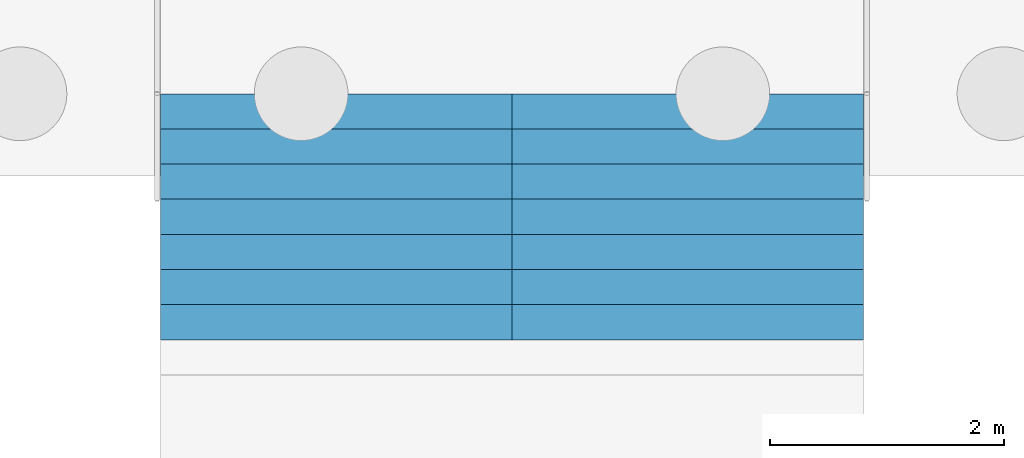
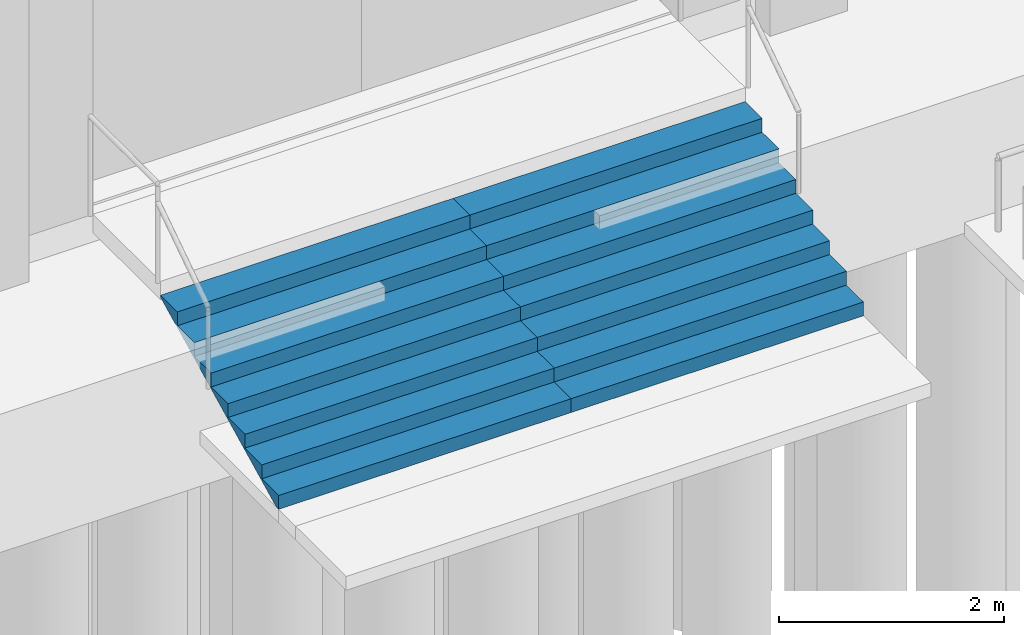
# One storey, part 67 of 129: 2 stair flights, 1 element without a shape of its own.
"""IFC4 building model written with IfcOpenShell, lengths in metres."""

from ifc_helpers import new_model, si_unit, direction, frame, origin, place, context, subcontext, project, spatial, faceted_brep, material, type_object, element, aggregate, save


model = new_model("IFC4")

# Units and contexts
model_context = context("Model", 3, precision=1e-05, world=origin(), true_north=direction((0.0, 1.0)))
body_context = subcontext(model_context, "Body", "Model", "MODEL_VIEW")
ifc_project = project(units=[si_unit("LENGTHUNIT", "METRE"), si_unit("AREAUNIT", "SQUARE_METRE"), si_unit("VOLUMEUNIT", "CUBIC_METRE"), si_unit("PLANEANGLEUNIT", "RADIAN"), si_unit("MASSUNIT", "GRAM", prefix="KILO")], contexts=[model_context])

# Site, building, storey
site_placement = place(None, origin())
site = spatial("IfcSite", under=ifc_project, at=site_placement, CompositionType="ELEMENT")
building_placement = place(site_placement, origin())
building = spatial("IfcBuilding", under=site, at=building_placement, Name="Kiln Court Media Centre", CompositionType="ELEMENT")
storey_placement = place(building_placement, origin())
storey = spatial("IfcBuildingStorey", under=building, at=storey_placement, Name="L00", CompositionType="ELEMENT", Elevation=0.0)

# Stair, stair flights
ifc_material_1 = material(Name="Concrete C30/37", Category="concrete")
stair_type = type_object("IfcStairType", Name="Concrete C30/37 porch steps EN-04 street porch", PredefinedType="STRAIGHT_RUN_STAIR", material=ifc_material_1)
stair_placement = place(storey_placement, origin())
stair = element("IfcStair", 1, at=stair_placement, inside=storey, type_object=stair_type, Name="Concrete C30/37 porch steps EN-04 street porch", PredefinedType="STRAIGHT_RUN_STAIR")
ifc_material_2 = material(Name="Concrete C30/37", Category="concrete")
stair_flight_type = type_object("IfcStairFlightType", Name="Concrete C30/37 porch steps EN-04 street porch flight", PredefinedType="STRAIGHT", material=ifc_material_2)
stair_flight_1_placement = place(storey_placement, frame((44.699951171875, -3.300048828125, -1.199951171875), z_axis=(0.0, 0.0, 1.0), x_axis=(0.0, 1.0, 0.0)))
stair_flight_1 = element("IfcStairFlight", 2, at=stair_flight_1_placement, type_object=stair_flight_type, Name="ST-E7 flight 1", NumberOfRisers=8, NumberOfTreads=7, PredefinedType="STRAIGHT", RiserHeight=0.15, TreadLength=0.3, context=body_context, shape_type="Brep", body=[
    faceted_brep([(0.044677734375, -1.5, 0.0), (2.10009765625, -1.5, 1.027587890625), (2.10009765625, -1.5, 1.050048828125), (1.800048828125, -1.5, 1.050048828125), (1.800048828125, -1.5, 0.89990234375), (1.5, -1.5, 0.89990234375), (1.5, -1.5, 0.75), (1.199951171875, -1.5, 0.75), (1.199951171875, -1.5, 0.60009765625), (0.89990234375, -1.5, 0.60009765625), (0.89990234375, -1.5, 0.449951171875), (0.60009765625, -1.5, 0.449951171875), (0.60009765625, -1.5, 0.300048828125), (0.300048828125, -1.5, 0.300048828125), (0.300048828125, -1.5, 0.14990234375), (0.0, -1.5, 0.14990234375), (0.0, -1.5, 0.0), (0.0, 1.5, 0.0), (0.0, 1.5, 0.14990234375), (0.300048828125, 1.5, 0.14990234375), (0.300048828125, 1.5, 0.300048828125), (0.60009765625, 1.5, 0.300048828125), (0.60009765625, 1.5, 0.449951171875), (0.89990234375, 1.5, 0.449951171875), (0.89990234375, 1.5, 0.60009765625), (1.199951171875, 1.5, 0.60009765625), (1.199951171875, 1.5, 0.75), (1.5, 1.5, 0.75), (1.5, 1.5, 0.89990234375), (1.800048828125, 1.5, 0.89990234375), (1.800048828125, 1.5, 1.050048828125), (2.10009765625, 1.5, 1.050048828125), (2.10009765625, 1.5, 1.027587890625), (0.044677734375, 1.5, 0.0), (2.10009765625, 0.10009765625, 1.027587890625), (0.044677734375, 0.10009765625, 0.0), (2.10009765625, 0.080078125, 1.027587890625), (0.044677734375, 0.080078125, 0.0), (2.10009765625, 0.06005859375, 1.027587890625), (0.044677734375, 0.06005859375, 0.0), (2.10009765625, 0.0400390625, 1.027587890625), (0.044677734375, 0.0400390625, 0.0), (2.10009765625, 0.02001953125, 1.027587890625), (0.044677734375, 0.02001953125, 0.0), (2.10009765625, 0.0, 1.027587890625), (0.044677734375, 0.0, 0.0), (2.10009765625, -0.02001953125, 1.027587890625), (0.044677734375, -0.02001953125, 0.0), (2.10009765625, -0.0400390625, 1.027587890625), (0.044677734375, -0.0400390625, 0.0), (2.10009765625, -0.06005859375, 1.027587890625), (0.044677734375, -0.06005859375, 0.0), (2.10009765625, -0.080078125, 1.027587890625), (0.044677734375, -0.080078125, 0.0), (2.10009765625, -0.10009765625, 1.027587890625), (0.044677734375, -0.10009765625, 0.0), (2.10009765625, 0.10009765625, 1.050048828125), (2.10009765625, 0.080078125, 1.050048828125), (2.10009765625, 0.06005859375, 1.050048828125), (2.10009765625, 0.0400390625, 1.050048828125), (2.10009765625, 0.02001953125, 1.050048828125), (2.10009765625, 0.0, 1.050048828125), (2.10009765625, -0.02001953125, 1.050048828125), (2.10009765625, -0.0400390625, 1.050048828125), (2.10009765625, -0.06005859375, 1.050048828125), (2.10009765625, -0.080078125, 1.050048828125), (2.10009765625, -0.10009765625, 1.050048828125), (1.800048828125, 0.10009765625, 1.050048828125), (1.800048828125, 0.080078125, 1.050048828125), (1.800048828125, 0.06005859375, 1.050048828125), (1.800048828125, 0.0400390625, 1.050048828125), (1.800048828125, 0.02001953125, 1.050048828125), (1.800048828125, 0.0, 1.050048828125), (1.800048828125, -0.02001953125, 1.050048828125), (1.800048828125, -0.0400390625, 1.050048828125), (1.800048828125, -0.06005859375, 1.050048828125), (1.800048828125, -0.080078125, 1.050048828125), (1.800048828125, -0.10009765625, 1.050048828125), (1.800048828125, 0.10009765625, 0.89990234375), (1.800048828125, 0.080078125, 0.89990234375), (1.800048828125, 0.06005859375, 0.89990234375), (1.800048828125, 0.0400390625, 0.89990234375), (1.800048828125, 0.02001953125, 0.89990234375), (1.800048828125, 0.0, 0.89990234375), (1.800048828125, -0.02001953125, 0.89990234375), (1.800048828125, -0.0400390625, 0.89990234375), (1.800048828125, -0.06005859375, 0.89990234375), (1.800048828125, -0.080078125, 0.89990234375), (1.800048828125, -0.10009765625, 0.89990234375), (1.5, 0.10009765625, 0.89990234375), (1.5, 0.080078125, 0.89990234375), (1.5, 0.06005859375, 0.89990234375), (1.5, 0.0400390625, 0.89990234375), (1.5, 0.02001953125, 0.89990234375), (1.5, 0.0, 0.89990234375), (1.5, -0.02001953125, 0.89990234375), (1.5, -0.0400390625, 0.89990234375), (1.5, -0.06005859375, 0.89990234375), (1.5, -0.080078125, 0.89990234375), (1.5, -0.10009765625, 0.89990234375), (1.5, 0.10009765625, 0.75), (1.5, 0.080078125, 0.75), (1.5, 0.06005859375, 0.75), (1.5, 0.0400390625, 0.75), (1.5, 0.02001953125, 0.75), (1.5, 0.0, 0.75), (1.5, -0.02001953125, 0.75), (1.5, -0.0400390625, 0.75), (1.5, -0.06005859375, 0.75), (1.5, -0.080078125, 0.75), (1.5, -0.10009765625, 0.75), (1.199951171875, 0.10009765625, 0.75), (1.199951171875, 0.080078125, 0.75), (1.199951171875, 0.06005859375, 0.75), (1.199951171875, 0.0400390625, 0.75), (1.199951171875, 0.02001953125, 0.75), (1.199951171875, 0.0, 0.75), (1.199951171875, -0.02001953125, 0.75), (1.199951171875, -0.0400390625, 0.75), (1.199951171875, -0.06005859375, 0.75), (1.199951171875, -0.080078125, 0.75), (1.199951171875, -0.10009765625, 0.75), (1.199951171875, 0.10009765625, 0.60009765625), (1.199951171875, 0.080078125, 0.60009765625), (1.199951171875, 0.06005859375, 0.60009765625), (1.199951171875, 0.0400390625, 0.60009765625), (1.199951171875, 0.02001953125, 0.60009765625), (1.199951171875, 0.0, 0.60009765625), (1.199951171875, -0.02001953125, 0.60009765625), (1.199951171875, -0.0400390625, 0.60009765625), (1.199951171875, -0.06005859375, 0.60009765625), (1.199951171875, -0.080078125, 0.60009765625), (1.199951171875, -0.10009765625, 0.60009765625), (0.89990234375, 0.10009765625, 0.60009765625), (0.89990234375, 0.080078125, 0.60009765625), (0.89990234375, 0.06005859375, 0.60009765625), (0.89990234375, 0.0400390625, 0.60009765625), (0.89990234375, 0.02001953125, 0.60009765625), (0.89990234375, 0.0, 0.60009765625), (0.89990234375, -0.02001953125, 0.60009765625), (0.89990234375, -0.0400390625, 0.60009765625), (0.89990234375, -0.06005859375, 0.60009765625), (0.89990234375, -0.080078125, 0.60009765625), (0.89990234375, -0.10009765625, 0.60009765625), (0.89990234375, 0.10009765625, 0.449951171875), (0.89990234375, 0.080078125, 0.449951171875), (0.89990234375, 0.06005859375, 0.449951171875), (0.89990234375, 0.0400390625, 0.449951171875), (0.89990234375, 0.02001953125, 0.449951171875), (0.89990234375, 0.0, 0.449951171875), (0.89990234375, -0.02001953125, 0.449951171875), (0.89990234375, -0.0400390625, 0.449951171875), (0.89990234375, -0.06005859375, 0.449951171875), (0.89990234375, -0.080078125, 0.449951171875), (0.89990234375, -0.10009765625, 0.449951171875), (0.60009765625, 0.10009765625, 0.449951171875), (0.60009765625, 0.080078125, 0.449951171875), (0.60009765625, 0.06005859375, 0.449951171875), (0.60009765625, 0.0400390625, 0.449951171875), (0.60009765625, 0.02001953125, 0.449951171875), (0.60009765625, 0.0, 0.449951171875), (0.60009765625, -0.02001953125, 0.449951171875), (0.60009765625, -0.0400390625, 0.449951171875), (0.60009765625, -0.06005859375, 0.449951171875), (0.60009765625, -0.080078125, 0.449951171875), (0.60009765625, -0.10009765625, 0.449951171875), (0.60009765625, 0.10009765625, 0.300048828125), (0.60009765625, 0.080078125, 0.300048828125), (0.60009765625, 0.06005859375, 0.300048828125), (0.60009765625, 0.0400390625, 0.300048828125), (0.60009765625, 0.02001953125, 0.300048828125), (0.60009765625, 0.0, 0.300048828125), (0.60009765625, -0.02001953125, 0.300048828125), (0.60009765625, -0.0400390625, 0.300048828125), (0.60009765625, -0.06005859375, 0.300048828125), (0.60009765625, -0.080078125, 0.300048828125), (0.60009765625, -0.10009765625, 0.300048828125), (0.300048828125, 0.10009765625, 0.300048828125), (0.300048828125, 0.080078125, 0.300048828125), (0.300048828125, 0.06005859375, 0.300048828125), (0.300048828125, 0.0400390625, 0.300048828125), (0.300048828125, 0.02001953125, 0.300048828125), (0.300048828125, 0.0, 0.300048828125), (0.300048828125, -0.02001953125, 0.300048828125), (0.300048828125, -0.0400390625, 0.300048828125), (0.300048828125, -0.06005859375, 0.300048828125), (0.300048828125, -0.080078125, 0.300048828125), (0.300048828125, -0.10009765625, 0.300048828125), (0.300048828125, 0.10009765625, 0.14990234375), (0.300048828125, 0.080078125, 0.14990234375), (0.300048828125, 0.06005859375, 0.14990234375), (0.300048828125, 0.0400390625, 0.14990234375), (0.300048828125, 0.02001953125, 0.14990234375), (0.300048828125, 0.0, 0.14990234375), (0.300048828125, -0.02001953125, 0.14990234375), (0.300048828125, -0.0400390625, 0.14990234375), (0.300048828125, -0.06005859375, 0.14990234375), (0.300048828125, -0.080078125, 0.14990234375), (0.300048828125, -0.10009765625, 0.14990234375), (0.0, 0.10009765625, 0.14990234375), (0.0, 0.080078125, 0.14990234375), (0.0, 0.06005859375, 0.14990234375), (0.0, 0.0400390625, 0.14990234375), (0.0, 0.02001953125, 0.14990234375), (0.0, 0.0, 0.14990234375), (0.0, -0.02001953125, 0.14990234375), (0.0, -0.0400390625, 0.14990234375), (0.0, -0.06005859375, 0.14990234375), (0.0, -0.080078125, 0.14990234375), (0.0, -0.10009765625, 0.14990234375), (0.0, 0.10009765625, 0.0), (0.0, 0.080078125, 0.0), (0.0, 0.06005859375, 0.0), (0.0, 0.0400390625, 0.0), (0.0, 0.02001953125, 0.0), (0.0, 0.0, 0.0), (0.0, -0.02001953125, 0.0), (0.0, -0.0400390625, 0.0), (0.0, -0.06005859375, 0.0), (0.0, -0.080078125, 0.0), (0.0, -0.10009765625, 0.0)], [[[0, 1, 2, 3, 4, 5, 6, 7, 8, 9, 10, 11, 12, 13, 14, 15, 16]], [[17, 18, 19, 20, 21, 22, 23, 24, 25, 26, 27, 28, 29, 30, 31, 32, 33]], [[33, 32, 34, 35]], [[35, 34, 36, 37]], [[37, 36, 38, 39]], [[39, 38, 40, 41]], [[41, 40, 42, 43]], [[43, 42, 44, 45]], [[45, 44, 46, 47]], [[47, 46, 48, 49]], [[49, 48, 50, 51]], [[51, 50, 52, 53]], [[53, 52, 54, 55]], [[55, 54, 1, 0]], [[32, 31, 56, 34]], [[34, 56, 57, 36]], [[36, 57, 58, 38]], [[38, 58, 59, 40]], [[40, 59, 60, 42]], [[42, 60, 61, 44]], [[44, 61, 62, 46]], [[46, 62, 63, 48]], [[48, 63, 64, 50]], [[50, 64, 65, 52]], [[52, 65, 66, 54]], [[54, 66, 2, 1]], [[31, 30, 67, 56]], [[56, 67, 68, 57]], [[57, 68, 69, 58]], [[58, 69, 70, 59]], [[59, 70, 71, 60]], [[60, 71, 72, 61]], [[61, 72, 73, 62]], [[62, 73, 74, 63]], [[63, 74, 75, 64]], [[64, 75, 76, 65]], [[65, 76, 77, 66]], [[66, 77, 3, 2]], [[30, 29, 78, 67]], [[67, 78, 79, 68]], [[68, 79, 80, 69]], [[69, 80, 81, 70]], [[70, 81, 82, 71]], [[71, 82, 83, 72]], [[72, 83, 84, 73]], [[73, 84, 85, 74]], [[74, 85, 86, 75]], [[75, 86, 87, 76]], [[76, 87, 88, 77]], [[77, 88, 4, 3]], [[29, 28, 89, 78]], [[78, 89, 90, 79]], [[79, 90, 91, 80]], [[80, 91, 92, 81]], [[81, 92, 93, 82]], [[82, 93, 94, 83]], [[83, 94, 95, 84]], [[84, 95, 96, 85]], [[85, 96, 97, 86]], [[86, 97, 98, 87]], [[87, 98, 99, 88]], [[88, 99, 5, 4]], [[28, 27, 100, 89]], [[89, 100, 101, 90]], [[90, 101, 102, 91]], [[91, 102, 103, 92]], [[92, 103, 104, 93]], [[93, 104, 105, 94]], [[94, 105, 106, 95]], [[95, 106, 107, 96]], [[96, 107, 108, 97]], [[97, 108, 109, 98]], [[98, 109, 110, 99]], [[99, 110, 6, 5]], [[27, 26, 111, 100]], [[100, 111, 112, 101]], [[101, 112, 113, 102]], [[102, 113, 114, 103]], [[103, 114, 115, 104]], [[104, 115, 116, 105]], [[105, 116, 117, 106]], [[106, 117, 118, 107]], [[107, 118, 119, 108]], [[108, 119, 120, 109]], [[109, 120, 121, 110]], [[110, 121, 7, 6]], [[26, 25, 122, 111]], [[111, 122, 123, 112]], [[112, 123, 124, 113]], [[113, 124, 125, 114]], [[114, 125, 126, 115]], [[115, 126, 127, 116]], [[116, 127, 128, 117]], [[117, 128, 129, 118]], [[118, 129, 130, 119]], [[119, 130, 131, 120]], [[120, 131, 132, 121]], [[121, 132, 8, 7]], [[25, 24, 133, 122]], [[122, 133, 134, 123]], [[123, 134, 135, 124]], [[124, 135, 136, 125]], [[125, 136, 137, 126]], [[126, 137, 138, 127]], [[127, 138, 139, 128]], [[128, 139, 140, 129]], [[129, 140, 141, 130]], [[130, 141, 142, 131]], [[131, 142, 143, 132]], [[132, 143, 9, 8]], [[24, 23, 144, 133]], [[133, 144, 145, 134]], [[134, 145, 146, 135]], [[135, 146, 147, 136]], [[136, 147, 148, 137]], [[137, 148, 149, 138]], [[138, 149, 150, 139]], [[139, 150, 151, 140]], [[140, 151, 152, 141]], [[141, 152, 153, 142]], [[142, 153, 154, 143]], [[143, 154, 10, 9]], [[23, 22, 155, 144]], [[144, 155, 156, 145]], [[145, 156, 157, 146]], [[146, 157, 158, 147]], [[147, 158, 159, 148]], [[148, 159, 160, 149]], [[149, 160, 161, 150]], [[150, 161, 162, 151]], [[151, 162, 163, 152]], [[152, 163, 164, 153]], [[153, 164, 165, 154]], [[154, 165, 11, 10]], [[22, 21, 166, 155]], [[155, 166, 167, 156]], [[156, 167, 168, 157]], [[157, 168, 169, 158]], [[158, 169, 170, 159]], [[159, 170, 171, 160]], [[160, 171, 172, 161]], [[161, 172, 173, 162]], [[162, 173, 174, 163]], [[163, 174, 175, 164]], [[164, 175, 176, 165]], [[165, 176, 12, 11]], [[21, 20, 177, 166]], [[166, 177, 178, 167]], [[167, 178, 179, 168]], [[168, 179, 180, 169]], [[169, 180, 181, 170]], [[170, 181, 182, 171]], [[171, 182, 183, 172]], [[172, 183, 184, 173]], [[173, 184, 185, 174]], [[174, 185, 186, 175]], [[175, 186, 187, 176]], [[176, 187, 13, 12]], [[20, 19, 188, 177]], [[177, 188, 189, 178]], [[178, 189, 190, 179]], [[179, 190, 191, 180]], [[180, 191, 192, 181]], [[181, 192, 193, 182]], [[182, 193, 194, 183]], [[183, 194, 195, 184]], [[184, 195, 196, 185]], [[185, 196, 197, 186]], [[186, 197, 198, 187]], [[187, 198, 14, 13]], [[19, 18, 199, 188]], [[188, 199, 200, 189]], [[189, 200, 201, 190]], [[190, 201, 202, 191]], [[191, 202, 203, 192]], [[192, 203, 204, 193]], [[193, 204, 205, 194]], [[194, 205, 206, 195]], [[195, 206, 207, 196]], [[196, 207, 208, 197]], [[197, 208, 209, 198]], [[198, 209, 15, 14]], [[18, 17, 210, 199]], [[199, 210, 211, 200]], [[200, 211, 212, 201]], [[201, 212, 213, 202]], [[202, 213, 214, 203]], [[203, 214, 215, 204]], [[204, 215, 216, 205]], [[205, 216, 217, 206]], [[206, 217, 218, 207]], [[207, 218, 219, 208]], [[208, 219, 220, 209]], [[209, 220, 16, 15]], [[17, 33, 35, 210]], [[210, 35, 37, 211]], [[211, 37, 39, 212]], [[212, 39, 41, 213]], [[213, 41, 43, 214]], [[214, 43, 45, 215]], [[215, 45, 47, 216]], [[216, 47, 49, 217]], [[217, 49, 51, 218]], [[218, 51, 53, 219]], [[219, 53, 55, 220]], [[220, 55, 0, 16]]]),
])
stair_flight_2_placement = place(storey_placement, frame((47.699951171875, -3.300048828125, -1.199951171875), z_axis=(0.0, 0.0, 1.0), x_axis=(0.0, 1.0, 0.0)))
stair_flight_2 = element("IfcStairFlight", 3, at=stair_flight_2_placement, type_object=stair_flight_type, Name="ST-E7 flight 2", NumberOfRisers=8, NumberOfTreads=7, PredefinedType="STRAIGHT", RiserHeight=0.15, TreadLength=0.3, context=body_context, shape_type="Brep", body=[
    faceted_brep([(0.044677734375, -1.5, 0.0), (2.10009765625, -1.5, 1.027587890625), (2.10009765625, -1.5, 1.050048828125), (1.800048828125, -1.5, 1.050048828125), (1.800048828125, -1.5, 0.89990234375), (1.5, -1.5, 0.89990234375), (1.5, -1.5, 0.75), (1.199951171875, -1.5, 0.75), (1.199951171875, -1.5, 0.60009765625), (0.89990234375, -1.5, 0.60009765625), (0.89990234375, -1.5, 0.449951171875), (0.60009765625, -1.5, 0.449951171875), (0.60009765625, -1.5, 0.300048828125), (0.300048828125, -1.5, 0.300048828125), (0.300048828125, -1.5, 0.14990234375), (0.0, -1.5, 0.14990234375), (0.0, -1.5, 0.0), (0.0, 1.5, 0.0), (0.0, 1.5, 0.14990234375), (0.300048828125, 1.5, 0.14990234375), (0.300048828125, 1.5, 0.300048828125), (0.60009765625, 1.5, 0.300048828125), (0.60009765625, 1.5, 0.449951171875), (0.89990234375, 1.5, 0.449951171875), (0.89990234375, 1.5, 0.60009765625), (1.199951171875, 1.5, 0.60009765625), (1.199951171875, 1.5, 0.75), (1.5, 1.5, 0.75), (1.5, 1.5, 0.89990234375), (1.800048828125, 1.5, 0.89990234375), (1.800048828125, 1.5, 1.050048828125), (2.10009765625, 1.5, 1.050048828125), (2.10009765625, 1.5, 1.027587890625), (0.044677734375, 1.5, 0.0), (2.10009765625, 0.10009765625, 1.027587890625), (0.044677734375, 0.10009765625, 0.0), (2.10009765625, 0.080078125, 1.027587890625), (0.044677734375, 0.080078125, 0.0), (2.10009765625, 0.06005859375, 1.027587890625), (0.044677734375, 0.06005859375, 0.0), (2.10009765625, 0.0400390625, 1.027587890625), (0.044677734375, 0.0400390625, 0.0), (2.10009765625, 0.02001953125, 1.027587890625), (0.044677734375, 0.02001953125, 0.0), (2.10009765625, 0.0, 1.027587890625), (0.044677734375, 0.0, 0.0), (2.10009765625, -0.02001953125, 1.027587890625), (0.044677734375, -0.02001953125, 0.0), (2.10009765625, -0.0400390625, 1.027587890625), (0.044677734375, -0.0400390625, 0.0), (2.10009765625, -0.06005859375, 1.027587890625), (0.044677734375, -0.06005859375, 0.0), (2.10009765625, -0.080078125, 1.027587890625), (0.044677734375, -0.080078125, 0.0), (2.10009765625, -0.10009765625, 1.027587890625), (0.044677734375, -0.10009765625, 0.0), (2.10009765625, 0.10009765625, 1.050048828125), (2.10009765625, 0.080078125, 1.050048828125), (2.10009765625, 0.06005859375, 1.050048828125), (2.10009765625, 0.0400390625, 1.050048828125), (2.10009765625, 0.02001953125, 1.050048828125), (2.10009765625, 0.0, 1.050048828125), (2.10009765625, -0.02001953125, 1.050048828125), (2.10009765625, -0.0400390625, 1.050048828125), (2.10009765625, -0.06005859375, 1.050048828125), (2.10009765625, -0.080078125, 1.050048828125), (2.10009765625, -0.10009765625, 1.050048828125), (1.800048828125, 0.10009765625, 1.050048828125), (1.800048828125, 0.080078125, 1.050048828125), (1.800048828125, 0.06005859375, 1.050048828125), (1.800048828125, 0.0400390625, 1.050048828125), (1.800048828125, 0.02001953125, 1.050048828125), (1.800048828125, 0.0, 1.050048828125), (1.800048828125, -0.02001953125, 1.050048828125), (1.800048828125, -0.0400390625, 1.050048828125), (1.800048828125, -0.06005859375, 1.050048828125), (1.800048828125, -0.080078125, 1.050048828125), (1.800048828125, -0.10009765625, 1.050048828125), (1.800048828125, 0.10009765625, 0.89990234375), (1.800048828125, 0.080078125, 0.89990234375), (1.800048828125, 0.06005859375, 0.89990234375), (1.800048828125, 0.0400390625, 0.89990234375), (1.800048828125, 0.02001953125, 0.89990234375), (1.800048828125, 0.0, 0.89990234375), (1.800048828125, -0.02001953125, 0.89990234375), (1.800048828125, -0.0400390625, 0.89990234375), (1.800048828125, -0.06005859375, 0.89990234375), (1.800048828125, -0.080078125, 0.89990234375), (1.800048828125, -0.10009765625, 0.89990234375), (1.5, 0.10009765625, 0.89990234375), (1.5, 0.080078125, 0.89990234375), (1.5, 0.06005859375, 0.89990234375), (1.5, 0.0400390625, 0.89990234375), (1.5, 0.02001953125, 0.89990234375), (1.5, 0.0, 0.89990234375), (1.5, -0.02001953125, 0.89990234375), (1.5, -0.0400390625, 0.89990234375), (1.5, -0.06005859375, 0.89990234375), (1.5, -0.080078125, 0.89990234375), (1.5, -0.10009765625, 0.89990234375), (1.5, 0.10009765625, 0.75), (1.5, 0.080078125, 0.75), (1.5, 0.06005859375, 0.75), (1.5, 0.0400390625, 0.75), (1.5, 0.02001953125, 0.75), (1.5, 0.0, 0.75), (1.5, -0.02001953125, 0.75), (1.5, -0.0400390625, 0.75), (1.5, -0.06005859375, 0.75), (1.5, -0.080078125, 0.75), (1.5, -0.10009765625, 0.75), (1.199951171875, 0.10009765625, 0.75), (1.199951171875, 0.080078125, 0.75), (1.199951171875, 0.06005859375, 0.75), (1.199951171875, 0.0400390625, 0.75), (1.199951171875, 0.02001953125, 0.75), (1.199951171875, 0.0, 0.75), (1.199951171875, -0.02001953125, 0.75), (1.199951171875, -0.0400390625, 0.75), (1.199951171875, -0.06005859375, 0.75), (1.199951171875, -0.080078125, 0.75), (1.199951171875, -0.10009765625, 0.75), (1.199951171875, 0.10009765625, 0.60009765625), (1.199951171875, 0.080078125, 0.60009765625), (1.199951171875, 0.06005859375, 0.60009765625), (1.199951171875, 0.0400390625, 0.60009765625), (1.199951171875, 0.02001953125, 0.60009765625), (1.199951171875, 0.0, 0.60009765625), (1.199951171875, -0.02001953125, 0.60009765625), (1.199951171875, -0.0400390625, 0.60009765625), (1.199951171875, -0.06005859375, 0.60009765625), (1.199951171875, -0.080078125, 0.60009765625), (1.199951171875, -0.10009765625, 0.60009765625), (0.89990234375, 0.10009765625, 0.60009765625), (0.89990234375, 0.080078125, 0.60009765625), (0.89990234375, 0.06005859375, 0.60009765625), (0.89990234375, 0.0400390625, 0.60009765625), (0.89990234375, 0.02001953125, 0.60009765625), (0.89990234375, 0.0, 0.60009765625), (0.89990234375, -0.02001953125, 0.60009765625), (0.89990234375, -0.0400390625, 0.60009765625), (0.89990234375, -0.06005859375, 0.60009765625), (0.89990234375, -0.080078125, 0.60009765625), (0.89990234375, -0.10009765625, 0.60009765625), (0.89990234375, 0.10009765625, 0.449951171875), (0.89990234375, 0.080078125, 0.449951171875), (0.89990234375, 0.06005859375, 0.449951171875), (0.89990234375, 0.0400390625, 0.449951171875), (0.89990234375, 0.02001953125, 0.449951171875), (0.89990234375, 0.0, 0.449951171875), (0.89990234375, -0.02001953125, 0.449951171875), (0.89990234375, -0.0400390625, 0.449951171875), (0.89990234375, -0.06005859375, 0.449951171875), (0.89990234375, -0.080078125, 0.449951171875), (0.89990234375, -0.10009765625, 0.449951171875), (0.60009765625, 0.10009765625, 0.449951171875), (0.60009765625, 0.080078125, 0.449951171875), (0.60009765625, 0.06005859375, 0.449951171875), (0.60009765625, 0.0400390625, 0.449951171875), (0.60009765625, 0.02001953125, 0.449951171875), (0.60009765625, 0.0, 0.449951171875), (0.60009765625, -0.02001953125, 0.449951171875), (0.60009765625, -0.0400390625, 0.449951171875), (0.60009765625, -0.06005859375, 0.449951171875), (0.60009765625, -0.080078125, 0.449951171875), (0.60009765625, -0.10009765625, 0.449951171875), (0.60009765625, 0.10009765625, 0.300048828125), (0.60009765625, 0.080078125, 0.300048828125), (0.60009765625, 0.06005859375, 0.300048828125), (0.60009765625, 0.0400390625, 0.300048828125), (0.60009765625, 0.02001953125, 0.300048828125), (0.60009765625, 0.0, 0.300048828125), (0.60009765625, -0.02001953125, 0.300048828125), (0.60009765625, -0.0400390625, 0.300048828125), (0.60009765625, -0.06005859375, 0.300048828125), (0.60009765625, -0.080078125, 0.300048828125), (0.60009765625, -0.10009765625, 0.300048828125), (0.300048828125, 0.10009765625, 0.300048828125), (0.300048828125, 0.080078125, 0.300048828125), (0.300048828125, 0.06005859375, 0.300048828125), (0.300048828125, 0.0400390625, 0.300048828125), (0.300048828125, 0.02001953125, 0.300048828125), (0.300048828125, 0.0, 0.300048828125), (0.300048828125, -0.02001953125, 0.300048828125), (0.300048828125, -0.0400390625, 0.300048828125), (0.300048828125, -0.06005859375, 0.300048828125), (0.300048828125, -0.080078125, 0.300048828125), (0.300048828125, -0.10009765625, 0.300048828125), (0.300048828125, 0.10009765625, 0.14990234375), (0.300048828125, 0.080078125, 0.14990234375), (0.300048828125, 0.06005859375, 0.14990234375), (0.300048828125, 0.0400390625, 0.14990234375), (0.300048828125, 0.02001953125, 0.14990234375), (0.300048828125, 0.0, 0.14990234375), (0.300048828125, -0.02001953125, 0.14990234375), (0.300048828125, -0.0400390625, 0.14990234375), (0.300048828125, -0.06005859375, 0.14990234375), (0.300048828125, -0.080078125, 0.14990234375), (0.300048828125, -0.10009765625, 0.14990234375), (0.0, 0.10009765625, 0.14990234375), (0.0, 0.080078125, 0.14990234375), (0.0, 0.06005859375, 0.14990234375), (0.0, 0.0400390625, 0.14990234375), (0.0, 0.02001953125, 0.14990234375), (0.0, 0.0, 0.14990234375), (0.0, -0.02001953125, 0.14990234375), (0.0, -0.0400390625, 0.14990234375), (0.0, -0.06005859375, 0.14990234375), (0.0, -0.080078125, 0.14990234375), (0.0, -0.10009765625, 0.14990234375), (0.0, 0.10009765625, 0.0), (0.0, 0.080078125, 0.0), (0.0, 0.06005859375, 0.0), (0.0, 0.0400390625, 0.0), (0.0, 0.02001953125, 0.0), (0.0, 0.0, 0.0), (0.0, -0.02001953125, 0.0), (0.0, -0.0400390625, 0.0), (0.0, -0.06005859375, 0.0), (0.0, -0.080078125, 0.0), (0.0, -0.10009765625, 0.0)], [[[0, 1, 2, 3, 4, 5, 6, 7, 8, 9, 10, 11, 12, 13, 14, 15, 16]], [[17, 18, 19, 20, 21, 22, 23, 24, 25, 26, 27, 28, 29, 30, 31, 32, 33]], [[33, 32, 34, 35]], [[35, 34, 36, 37]], [[37, 36, 38, 39]], [[39, 38, 40, 41]], [[41, 40, 42, 43]], [[43, 42, 44, 45]], [[45, 44, 46, 47]], [[47, 46, 48, 49]], [[49, 48, 50, 51]], [[51, 50, 52, 53]], [[53, 52, 54, 55]], [[55, 54, 1, 0]], [[32, 31, 56, 34]], [[34, 56, 57, 36]], [[36, 57, 58, 38]], [[38, 58, 59, 40]], [[40, 59, 60, 42]], [[42, 60, 61, 44]], [[44, 61, 62, 46]], [[46, 62, 63, 48]], [[48, 63, 64, 50]], [[50, 64, 65, 52]], [[52, 65, 66, 54]], [[54, 66, 2, 1]], [[31, 30, 67, 56]], [[56, 67, 68, 57]], [[57, 68, 69, 58]], [[58, 69, 70, 59]], [[59, 70, 71, 60]], [[60, 71, 72, 61]], [[61, 72, 73, 62]], [[62, 73, 74, 63]], [[63, 74, 75, 64]], [[64, 75, 76, 65]], [[65, 76, 77, 66]], [[66, 77, 3, 2]], [[30, 29, 78, 67]], [[67, 78, 79, 68]], [[68, 79, 80, 69]], [[69, 80, 81, 70]], [[70, 81, 82, 71]], [[71, 82, 83, 72]], [[72, 83, 84, 73]], [[73, 84, 85, 74]], [[74, 85, 86, 75]], [[75, 86, 87, 76]], [[76, 87, 88, 77]], [[77, 88, 4, 3]], [[29, 28, 89, 78]], [[78, 89, 90, 79]], [[79, 90, 91, 80]], [[80, 91, 92, 81]], [[81, 92, 93, 82]], [[82, 93, 94, 83]], [[83, 94, 95, 84]], [[84, 95, 96, 85]], [[85, 96, 97, 86]], [[86, 97, 98, 87]], [[87, 98, 99, 88]], [[88, 99, 5, 4]], [[28, 27, 100, 89]], [[89, 100, 101, 90]], [[90, 101, 102, 91]], [[91, 102, 103, 92]], [[92, 103, 104, 93]], [[93, 104, 105, 94]], [[94, 105, 106, 95]], [[95, 106, 107, 96]], [[96, 107, 108, 97]], [[97, 108, 109, 98]], [[98, 109, 110, 99]], [[99, 110, 6, 5]], [[27, 26, 111, 100]], [[100, 111, 112, 101]], [[101, 112, 113, 102]], [[102, 113, 114, 103]], [[103, 114, 115, 104]], [[104, 115, 116, 105]], [[105, 116, 117, 106]], [[106, 117, 118, 107]], [[107, 118, 119, 108]], [[108, 119, 120, 109]], [[109, 120, 121, 110]], [[110, 121, 7, 6]], [[26, 25, 122, 111]], [[111, 122, 123, 112]], [[112, 123, 124, 113]], [[113, 124, 125, 114]], [[114, 125, 126, 115]], [[115, 126, 127, 116]], [[116, 127, 128, 117]], [[117, 128, 129, 118]], [[118, 129, 130, 119]], [[119, 130, 131, 120]], [[120, 131, 132, 121]], [[121, 132, 8, 7]], [[25, 24, 133, 122]], [[122, 133, 134, 123]], [[123, 134, 135, 124]], [[124, 135, 136, 125]], [[125, 136, 137, 126]], [[126, 137, 138, 127]], [[127, 138, 139, 128]], [[128, 139, 140, 129]], [[129, 140, 141, 130]], [[130, 141, 142, 131]], [[131, 142, 143, 132]], [[132, 143, 9, 8]], [[24, 23, 144, 133]], [[133, 144, 145, 134]], [[134, 145, 146, 135]], [[135, 146, 147, 136]], [[136, 147, 148, 137]], [[137, 148, 149, 138]], [[138, 149, 150, 139]], [[139, 150, 151, 140]], [[140, 151, 152, 141]], [[141, 152, 153, 142]], [[142, 153, 154, 143]], [[143, 154, 10, 9]], [[23, 22, 155, 144]], [[144, 155, 156, 145]], [[145, 156, 157, 146]], [[146, 157, 158, 147]], [[147, 158, 159, 148]], [[148, 159, 160, 149]], [[149, 160, 161, 150]], [[150, 161, 162, 151]], [[151, 162, 163, 152]], [[152, 163, 164, 153]], [[153, 164, 165, 154]], [[154, 165, 11, 10]], [[22, 21, 166, 155]], [[155, 166, 167, 156]], [[156, 167, 168, 157]], [[157, 168, 169, 158]], [[158, 169, 170, 159]], [[159, 170, 171, 160]], [[160, 171, 172, 161]], [[161, 172, 173, 162]], [[162, 173, 174, 163]], [[163, 174, 175, 164]], [[164, 175, 176, 165]], [[165, 176, 12, 11]], [[21, 20, 177, 166]], [[166, 177, 178, 167]], [[167, 178, 179, 168]], [[168, 179, 180, 169]], [[169, 180, 181, 170]], [[170, 181, 182, 171]], [[171, 182, 183, 172]], [[172, 183, 184, 173]], [[173, 184, 185, 174]], [[174, 185, 186, 175]], [[175, 186, 187, 176]], [[176, 187, 13, 12]], [[20, 19, 188, 177]], [[177, 188, 189, 178]], [[178, 189, 190, 179]], [[179, 190, 191, 180]], [[180, 191, 192, 181]], [[181, 192, 193, 182]], [[182, 193, 194, 183]], [[183, 194, 195, 184]], [[184, 195, 196, 185]], [[185, 196, 197, 186]], [[186, 197, 198, 187]], [[187, 198, 14, 13]], [[19, 18, 199, 188]], [[188, 199, 200, 189]], [[189, 200, 201, 190]], [[190, 201, 202, 191]], [[191, 202, 203, 192]], [[192, 203, 204, 193]], [[193, 204, 205, 194]], [[194, 205, 206, 195]], [[195, 206, 207, 196]], [[196, 207, 208, 197]], [[197, 208, 209, 198]], [[198, 209, 15, 14]], [[18, 17, 210, 199]], [[199, 210, 211, 200]], [[200, 211, 212, 201]], [[201, 212, 213, 202]], [[202, 213, 214, 203]], [[203, 214, 215, 204]], [[204, 215, 216, 205]], [[205, 216, 217, 206]], [[206, 217, 218, 207]], [[207, 218, 219, 208]], [[208, 219, 220, 209]], [[209, 220, 16, 15]], [[17, 33, 35, 210]], [[210, 35, 37, 211]], [[211, 37, 39, 212]], [[212, 39, 41, 213]], [[213, 41, 43, 214]], [[214, 43, 45, 215]], [[215, 45, 47, 216]], [[216, 47, 49, 217]], [[217, 49, 51, 218]], [[218, 51, 53, 219]], [[219, 53, 55, 220]], [[220, 55, 0, 16]]]),
])
aggregate(stair, [stair_flight_1, stair_flight_2])

save(model, "model.ifc")
